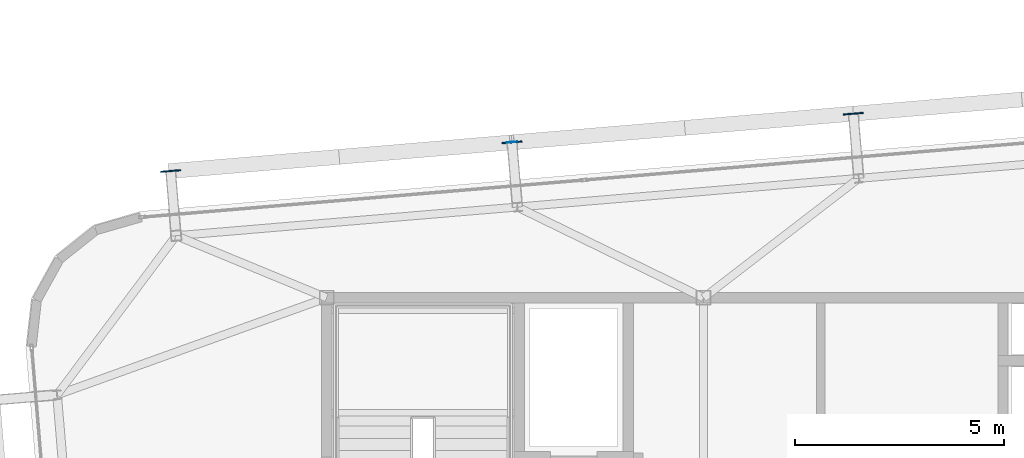
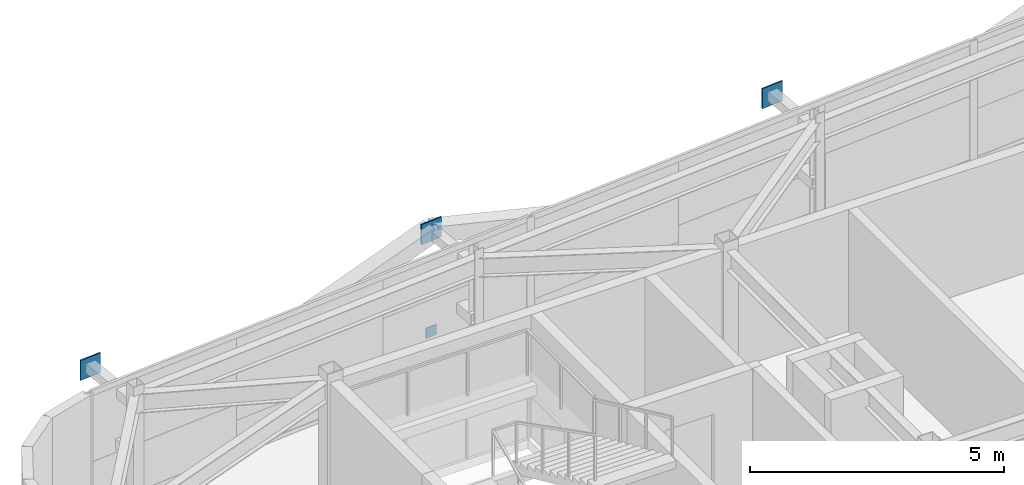
# One storey, part 31 of 37: 4 plates.
"""IFC4 building model written with IfcOpenShell, lengths in metres."""

from ifc_helpers import new_model, si_unit, direction, frame, origin, origin_2d, place, context, subcontext, project, spatial, rectangle, extrude, source, transform, mapped, material, layer, layer_set, type_object, element, save


model = new_model("IFC4")

# Units and contexts
model_context = context("Model", 3, precision=1e-05, world=origin(), true_north=direction((0.0, 1.0)))
body_context = subcontext(model_context, "Body", "Model", "MODEL_VIEW")
ifc_project = project(units=[si_unit("LENGTHUNIT", "METRE"), si_unit("AREAUNIT", "SQUARE_METRE"), si_unit("VOLUMEUNIT", "CUBIC_METRE"), si_unit("PLANEANGLEUNIT", "RADIAN"), si_unit("MASSUNIT", "GRAM", prefix="KILO")], contexts=[model_context])

# Site, building, storey
site_placement = place(None, origin())
site = spatial("IfcSite", under=ifc_project, at=site_placement, CompositionType="ELEMENT")
building_placement = place(site_placement, origin())
building = spatial("IfcBuilding", under=site, at=building_placement, Name="Taldren Reach Tower", CompositionType="ELEMENT")
storey_placement = place(building_placement, frame((0.0, 0.0, 172.550048828125)))
storey = spatial("IfcBuildingStorey", under=building, at=storey_placement, Name="L52", CompositionType="ELEMENT", Elevation=172.550048828125)

# Plates
ifc_material_1 = material(Name="Steel Gr 350 (C350L0)", Category="steel")
ifc_layer_1 = layer(ifc_material_1, 0.011962890625)
ifc_layer_set_1 = layer_set([ifc_layer_1], Name="Steel Gr 350 (C350L0)")
plate_type_1 = type_object("IfcPlateType", Name="PL-CAP-250", PredefinedType="SHEET", material=ifc_layer_set_1)
shared_shape_1 = source(origin(), body_context, "Body", "SweptSolid", [
    extrude(rectangle(XDim=0.25, YDim=0.011962890625, at=origin_2d()), origin(), (0.0, 0.0, 1.0), 0.25),
])
plate_placement = place(storey_placement, frame((23.4248046875, 35.718505859375, 0.094970703125), z_axis=(0.0, 0.0, 1.0), x_axis=(0.99649285925, 0.083677843332, 0.0)))
element("IfcPlate", 1, at=plate_placement, inside=storey, type_object=plate_type_1, Name="Tie strut end cap plate B4-N2 L52", PredefinedType="SHEET", context=body_context, shape_type="MappedRepresentation", body=[
    mapped(shared_shape_1, transform((0.0, 0.0, 0.0), scale=1.0)),
])
ifc_material_2 = material(Name="Steel Gr 450 (C450L0)", Category="steel")
ifc_layer_2 = layer(ifc_material_2, 0.031982421875)
ifc_layer_set_2 = layer_set([ifc_layer_2], Name="Steel Gr 450 (C450L0)")
plate_type_2 = type_object("IfcPlateType", Name="PL-GUSSET-32", PredefinedType="SHEET", material=ifc_layer_set_2)
shared_shape_2 = source(origin(), body_context, "Body", "SweptSolid", [
    extrude(rectangle(XDim=0.47998046875, YDim=0.031982421875, at=origin_2d()), origin(), (0.0, 0.0, 1.0), 0.47998046875),
])
for number, where, z_axis, x_axis, name in (
    (2, (15.274169921875, 35.028076171875, 2.409912109375), (0.0, 0.0, 1.0), (0.99649285925, 0.083677843332, 0.0), "Exoskeleton star-node gusset plate B4-N1 L52"),
    (3, (23.42529296875, 35.712646484375, 2.409912109375), (0.0, 0.0, 1.0), (0.99649285925, 0.083677843332, 0.0), "Exoskeleton star-node gusset plate B4-N2 L52"),
    (4, (31.57666015625, 36.39697265625, 2.409912109375), (0.0, 0.0, 1.0), (0.99649285925, 0.083677843332, 0.0), "Exoskeleton star-node gusset plate B4-N3 L52"),
):
    element("IfcPlate", number, at=place(storey_placement, frame(where, z_axis=z_axis, x_axis=x_axis)), inside=storey, type_object=plate_type_2, Name=name, PredefinedType="SHEET", context=body_context, shape_type="MappedRepresentation", body=[
        mapped(shared_shape_2, transform((0.0, 0.0, 0.0), scale=1.0)),
    ])

save(model, "model.ifc")
